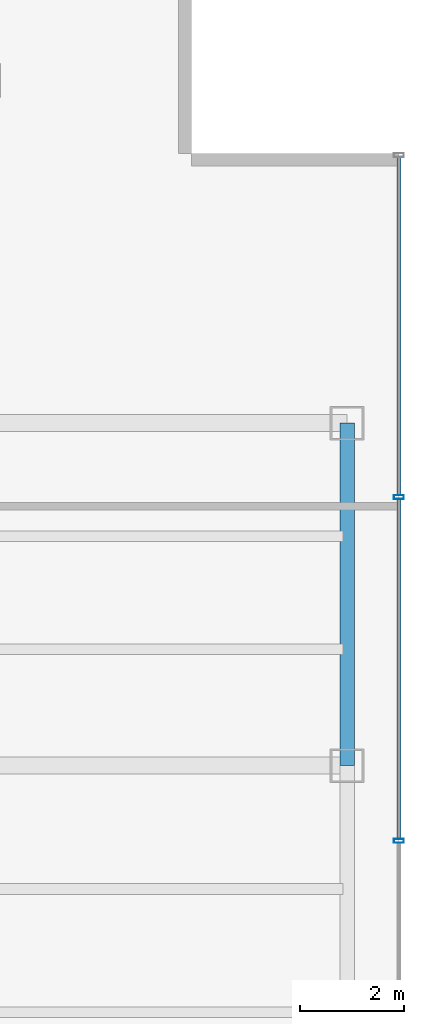
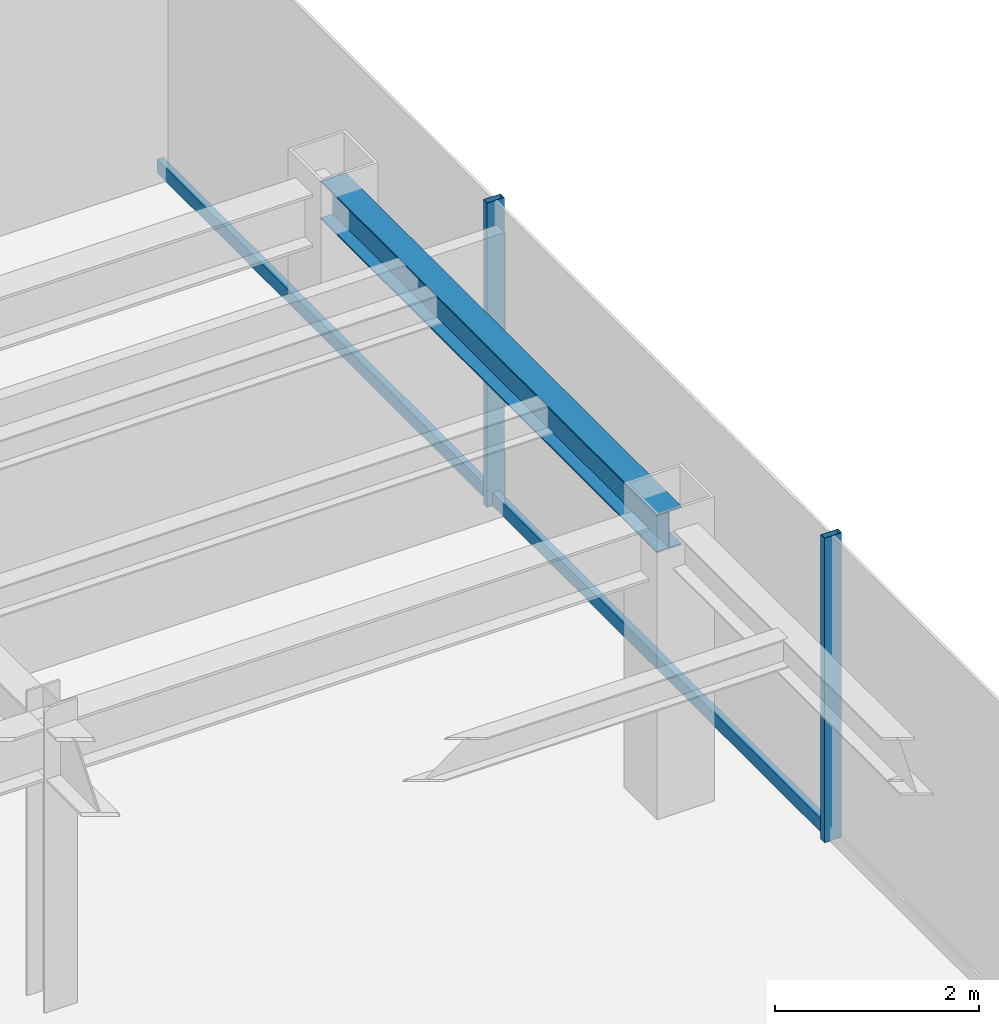
# One storey, part 13 of 25: 4 members, 1 beam, 1 element without a shape of its own.
"""IFC4 building model written with IfcOpenShell, lengths in metres."""

from ifc_helpers import new_model, si_unit, derived_unit, direction, frame, origin, origin_2d, place, context, subcontext, project, spatial, hollow_rectangle, i_section, extrude, source, transform, mapped, material, material_profile, profile_set, type_object, element, aggregate, save


model = new_model("IFC4")

# Units and contexts
model_context = context("Model", 3, precision=1e-05, world=origin(), true_north=direction((0.0, 1.0)))
body_context = subcontext(model_context, "Body", "Model", "MODEL_VIEW")
ifc_project = project(units=[si_unit("LENGTHUNIT", "METRE"), si_unit("AREAUNIT", "SQUARE_METRE"), si_unit("VOLUMEUNIT", "CUBIC_METRE"), si_unit("PLANEANGLEUNIT", "RADIAN"), si_unit("MASSUNIT", "GRAM", prefix="KILO"), derived_unit("THERMALTRANSMITTANCEUNIT", [(si_unit("POWERUNIT", "WATT"), 1), (si_unit("LENGTHUNIT", "METRE"), -2), (si_unit("THERMODYNAMICTEMPERATUREUNIT", "KELVIN"), -1)])], contexts=[model_context])

# Site, building, storey
site_placement = place(None, origin())
site = spatial("IfcSite", under=ifc_project, at=site_placement, CompositionType="ELEMENT")
building_placement = place(site_placement, origin())
building = spatial("IfcBuilding", under=site, at=building_placement, Name="Skarnbrae Concourse Arena and Tower", CompositionType="ELEMENT")
storey_placement = place(building_placement, frame((0.0, 0.0, 151.550048828125)))
storey = spatial("IfcBuildingStorey", under=building, at=storey_placement, Name="L38", CompositionType="ELEMENT", Elevation=151.550048828125)

# Beam
ifc_material_1 = material(Name="Steel CSA G40.21 350W", Category="steel")
ifc_material_profile_1 = material_profile(ifc_material_1, i_section(OverallWidth=0.280029296875, OverallDepth=0.462890625, WebThickness=0.0107421875, FlangeThickness=0.017333984375, at=origin_2d()), Name="W460X113")
ifc_profile_set_1 = profile_set([ifc_material_profile_1], Name="Steel CSA G40.21 350W")
beam_type = type_object("IfcBeamType", Name="BM-SPAN-W460X113", PredefinedType="SPANDREL", material=ifc_profile_set_1)
shared_shape_1 = source(origin(), body_context, "Body", "SweptSolid", [
    extrude(i_section(OverallWidth=0.280029296875, OverallDepth=0.462890625, WebThickness=0.0107421875, FlangeThickness=0.017333984375, at=origin_2d()), origin(), (0.0, 0.0, 1.0), 6.60009765625),
])
beam_placement = place(storey_placement, frame((49.0, 21.199951171875, 3.16845703125), z_axis=(0.0, 1.0, 0.0), x_axis=(-1.0, 0.0, 0.0)))
element("IfcBeam", 1, at=beam_placement, inside=storey, type_object=beam_type, Name="L38 Perimeter spandrel X49.0-3", PredefinedType="SPANDREL", context=body_context, shape_type="MappedRepresentation", body=[
    mapped(shared_shape_1, transform((0.0, 0.0, 0.0))),
])

# Curtain wall, members
ifc_material_2 = material(Name="Bronze anodised aluminium 6063-T6", Category="aluminium")
curtain_wall_type = type_object("IfcCurtainWallType", Name="CW-SYS-04-MIDZONE", PredefinedType="USERDEFINED", material=ifc_material_2)
curtain_wall_placement = place(storey_placement, origin())
curtain_wall = element("IfcCurtainWall", 2, at=curtain_wall_placement, inside=storey, type_object=curtain_wall_type, Name="L38 Unitised curtain wall CW-L38-E04", ObjectType="UNITISED CURTAIN WALL", PredefinedType="USERDEFINED")
ifc_material_profile_2 = material_profile(ifc_material_2, hollow_rectangle(XDim=0.074951171875, YDim=0.195068359375, WallThickness=0.00439453125, at=origin_2d()), Name="ALU-MULL-75X195")
ifc_profile_set_2 = profile_set([ifc_material_profile_2], Name="Bronze anodised aluminium 6063-T6")
member_type_1 = type_object("IfcMemberType", Name="CWM-CW-04", PredefinedType="MULLION", material=ifc_profile_set_2)
shared_shape_2 = source(origin(), body_context, "Body", "SweptSolid", [
    extrude(hollow_rectangle(XDim=0.074951171875, YDim=0.195068359375, WallThickness=0.00439453125, at=origin_2d()), origin(), (0.0, 0.0, 1.0), 3.64990234375),
])
member_1_placement = place(storey_placement, frame((50.0, 19.75, 0.0), z_axis=(0.0, 0.0, 1.0), x_axis=(0.0, 1.0, 0.0)))
member_1 = element("IfcMember", 3, at=member_1_placement, type_object=member_type_1, Name="CW-L38-E04 Mullion 3", PredefinedType="MULLION", context=body_context, shape_type="MappedRepresentation", body=[
    mapped(shared_shape_2, transform((0.0, 0.0, 0.0))),
])
member_2_placement = place(storey_placement, frame((50.0, 26.375, 0.0), z_axis=(0.0, 0.0, 1.0), x_axis=(0.0, 1.0, 0.0)))
member_2 = element("IfcMember", 4, at=member_2_placement, type_object=member_type_1, Name="CW-L38-E04 Mullion 4", PredefinedType="MULLION", context=body_context, shape_type="MappedRepresentation", body=[
    mapped(shared_shape_2, transform((0.0, 0.0, 0.0))),
])
ifc_material_profile_3 = material_profile(ifc_material_2, hollow_rectangle(XDim=0.074951171875, YDim=0.159912109375, WallThickness=0.00439453125, at=origin_2d()), Name="ALU-TRAN-75X160")
ifc_profile_set_3 = profile_set([ifc_material_profile_3], Name="Bronze anodised aluminium 6063-T6")
member_type_2 = type_object("IfcMemberType", Name="CWT-CW-04", PredefinedType="USERDEFINED", material=ifc_profile_set_3)
shared_shape_3 = source(origin(), body_context, "Body", "SweptSolid", [
    extrude(hollow_rectangle(XDim=0.074951171875, YDim=0.159912109375, WallThickness=0.00439453125, at=origin_2d()), origin(), (0.0, 0.0, 1.0), 6.512451171875),
])
member_3_placement = place(storey_placement, frame((50.0, 26.41259765625, 0.079833984375), z_axis=(0.0, 1.0, 0.0), x_axis=(-1.0, 0.0, 0.0)))
member_3 = element("IfcMember", 5, at=member_3_placement, type_object=member_type_2, Name="CW-L38-E04 Transom 4", ObjectType="TRANSOM", PredefinedType="USERDEFINED", context=body_context, shape_type="MappedRepresentation", body=[
    mapped(shared_shape_3, transform((0.0, 0.0, 0.0))),
])
shared_shape_4 = source(origin(), body_context, "Body", "SweptSolid", [
    extrude(hollow_rectangle(XDim=0.074951171875, YDim=0.159912109375, WallThickness=0.00439453125, at=origin_2d()), origin(), (0.0, 0.0, 1.0), 6.5498046875),
])
member_4_placement = place(storey_placement, frame((50.0, 19.78759765625, 0.079833984375), z_axis=(0.0, 1.0, 0.0), x_axis=(-1.0, 0.0, 0.0)))
member_4 = element("IfcMember", 6, at=member_4_placement, type_object=member_type_2, Name="CW-L38-E04 Transom 3", ObjectType="TRANSOM", PredefinedType="USERDEFINED", context=body_context, shape_type="MappedRepresentation", body=[
    mapped(shared_shape_4, transform((0.0, 0.0, 0.0))),
])
aggregate(curtain_wall, [member_1, member_2, member_4, member_3])

save(model, "model.ifc")
